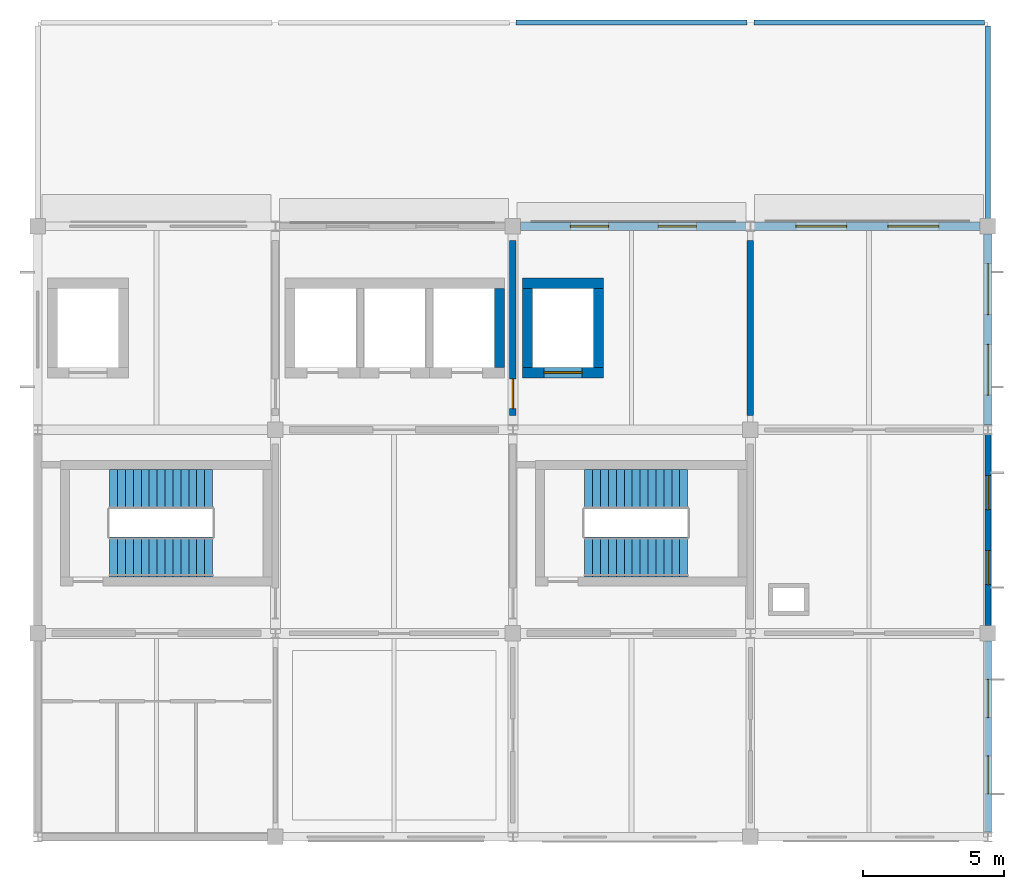
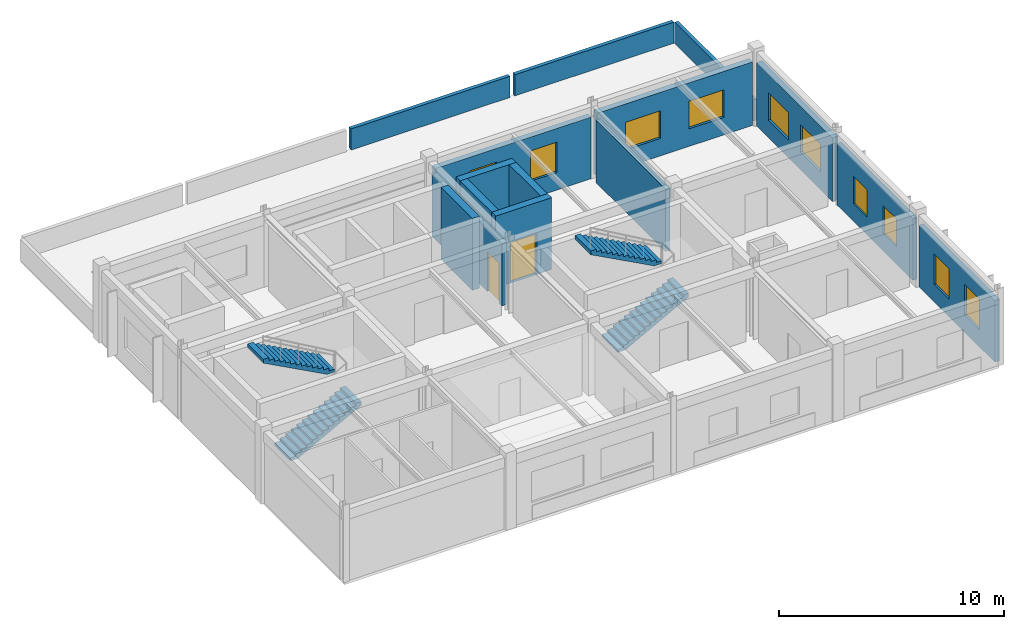
# One storey, part 4 of 5: 15 walls, 10 windows, 4 stair flights, 2 doors, 12 openings, 2 elements without a shape of their own.
"""IFC4 building model written with IfcOpenShell, lengths in metres."""

from ifc_helpers import new_model, si_unit, derived_unit, direction, frame, frame_2d, origin, place, context, subcontext, project, spatial, polyline, rectangle, outline, extrude, material, layer, layer_set, type_object, element, fill, aggregate, save


model = new_model("IFC4")

# Units and contexts
model_context = context("Model", 3, precision=1e-05, world=origin(), true_north=direction((0.0, 1.0)))
body_context = subcontext(model_context, "Body", "Model", "MODEL_VIEW")
ifc_project = project(units=[si_unit("LENGTHUNIT", "METRE"), si_unit("AREAUNIT", "SQUARE_METRE"), si_unit("VOLUMEUNIT", "CUBIC_METRE"), si_unit("PLANEANGLEUNIT", "RADIAN"), si_unit("MASSUNIT", "GRAM", prefix="KILO"), derived_unit("THERMALTRANSMITTANCEUNIT", [(si_unit("MASSUNIT", "GRAM", prefix="KILO"), 1), (si_unit("TIMEUNIT", "SECOND"), -3), (si_unit("THERMODYNAMICTEMPERATUREUNIT", "KELVIN"), -1)])], contexts=[model_context])

# Site, building, storey
site_placement = place(None, origin())
site = spatial("IfcSite", under=ifc_project, at=site_placement, CompositionType="ELEMENT")
building_placement = place(site_placement, origin())
building = spatial("IfcBuilding", under=site, at=building_placement, Name="Veldstrom Oceanarium and Marine Research Institute", CompositionType="ELEMENT")
storey_placement = place(building_placement, frame((0.0, 0.0, 64.800048828125)))
storey = spatial("IfcBuildingStorey", under=building, at=storey_placement, Name="L14", CompositionType="ELEMENT", Elevation=64.800048828125)

# Wall, openings, windows
ifc_material_1 = material(Name="Masonry Cavity Wall", Category="masonry")
ifc_layer_1 = layer(ifc_material_1, 0.31005859375)
ifc_layer_set_1 = layer_set([ifc_layer_1], Name="ARC-WAL-EW1")
wall_type_1 = type_object("IfcWallType", Name="ARC-WAL-EW1", PredefinedType="SOLIDWALL", material=ifc_layer_set_1)
wall_1_placement = place(storey_placement, frame((100.949951171875, 64.800048828125, 0.0), z_axis=(0.0, 0.0, 1.0), x_axis=(1.0, 0.0, 0.0)))
wall_1 = element("IfcWall", 1, at=wall_1_placement, inside=storey, type_object=wall_type_1, Name="Exterior Facade Wall EW1 L14-279", PredefinedType="SOLIDWALL", context=body_context, shape_type="SweptSolid", body=[
    extrude(rectangle(XDim=7.97509765625, YDim=0.31005859375, at=frame_2d((3.987548828125, 0.0))), origin(), (0.0, 0.0, 1.0), 3.445068359375),
])
opening_1_placement = place(wall_1_placement, frame((1.458251953125, 0.0, 0.949951171875)))
opening_1 = element("IfcOpeningElement", 2, at=opening_1_placement, cuts=wall_1, Name="Opening W14", PredefinedType="OPENING", context=body_context, shape_type="SweptSolid", body=[
    extrude(rectangle(XDim=1.800048828125, YDim=1.5, at=frame_2d((0.89990234375, 0.75))), frame((0.0, 0.1650390625, 0.0), z_axis=(0.0, -1.0, 0.0), x_axis=(1.0, 0.0, 0.0)), (0.0, 0.0, 1.0), 0.330078125),
])
opening_2_placement = place(wall_1_placement, frame((4.716796875, 0.0, 0.949951171875)))
opening_2 = element("IfcOpeningElement", 3, at=opening_2_placement, cuts=wall_1, Name="Opening W14", PredefinedType="OPENING", context=body_context, shape_type="SweptSolid", body=[
    extrude(rectangle(XDim=1.800048828125, YDim=1.5, at=frame_2d((0.89990234375, 0.75))), frame((0.0, 0.1650390625, 0.0), z_axis=(0.0, -1.0, 0.0), x_axis=(1.0, 0.0, 0.0)), (0.0, 0.0, 1.0), 0.330078125),
])
ifc_material_2 = material(Name="Double Glazed Low-E IGU", Category="glass")
window_type_1 = type_object("IfcWindowType", Name="ARC-WIN-W14", PartitioningType="SINGLE_PANEL", PredefinedType="WINDOW", material=ifc_material_2)
window_1_placement = place(opening_1_placement, origin())
window_1 = element("IfcWindow", 4, at=window_1_placement, inside=storey, type_object=window_type_1, Name="Facade Window W14 L14-0276", OverallHeight=1.5, OverallWidth=1.800048828125, PartitioningType="SINGLE_PANEL", PredefinedType="WINDOW", context=body_context, shape_type="SweptSolid", body=[
    extrude(rectangle(XDim=1.800048828125, YDim=1.5, at=frame_2d((0.89990234375, 0.75))), frame((0.0, 0.030029296875, 0.0), z_axis=(0.0, -1.0, 0.0), x_axis=(1.0, 0.0, 0.0)), (0.0, 0.0, 1.0), 0.06005859375),
])
fill(opening_1, window_1)
window_2_placement = place(opening_2_placement, origin())
window_2 = element("IfcWindow", 5, at=window_2_placement, inside=storey, type_object=window_type_1, Name="Facade Window W14 L14-0277", OverallHeight=1.5, OverallWidth=1.800048828125, PartitioningType="SINGLE_PANEL", PredefinedType="WINDOW", context=body_context, shape_type="SweptSolid", body=[
    extrude(rectangle(XDim=1.800048828125, YDim=1.5, at=frame_2d((0.89990234375, 0.75))), frame((0.0, 0.030029296875, 0.0), z_axis=(0.0, -1.0, 0.0), x_axis=(1.0, 0.0, 0.0)), (0.0, 0.0, 1.0), 0.06005859375),
])
fill(opening_2, window_2)

ifc_material_3 = material(Name="Masonry Cavity Wall", Category="masonry")
ifc_layer_2 = layer(ifc_material_3, 0.2900390625)
ifc_layer_set_2 = layer_set([ifc_layer_2], Name="ARC-WAL-EW2")
wall_type_2 = type_object("IfcWallType", Name="ARC-WAL-EW2", PredefinedType="SOLIDWALL", material=ifc_layer_set_2)
wall_2_placement = place(storey_placement, frame((92.675048828125, 64.800048828125, 0.0), z_axis=(0.0, 0.0, 1.0), x_axis=(1.0, 0.0, 0.0)))
wall_2 = element("IfcWall", 6, at=wall_2_placement, inside=storey, type_object=wall_type_2, Name="Exterior Facade Wall EW2 L14-275", PredefinedType="SOLIDWALL", context=body_context, shape_type="SweptSolid", body=[
    extrude(rectangle(XDim=7.974853515625, YDim=0.2900390625, at=frame_2d((3.9873046875, 0.0))), origin(), (0.0, 0.0, 1.0), 3.344970703125),
])
opening_3_placement = place(wall_2_placement, frame((1.75830078125, 0.0, 0.949951171875)))
opening_3 = element("IfcOpeningElement", 7, at=opening_3_placement, cuts=wall_2, Name="Opening W24", PredefinedType="OPENING", context=body_context, shape_type="SweptSolid", body=[
    extrude(rectangle(XDim=1.35009765625, YDim=1.64990234375, at=frame_2d((0.675048828125, 0.824951171875))), frame((0.0, 0.155029296875, 0.0), z_axis=(0.0, -1.0, 0.0), x_axis=(1.0, 0.0, 0.0)), (0.0, 0.0, 1.0), 0.31005859375),
])
opening_4_placement = place(wall_2_placement, frame((4.86669921875, 0.0, 0.949951171875)))
opening_4 = element("IfcOpeningElement", 8, at=opening_4_placement, cuts=wall_2, Name="Opening W24", PredefinedType="OPENING", context=body_context, shape_type="SweptSolid", body=[
    extrude(rectangle(XDim=1.35009765625, YDim=1.64990234375, at=frame_2d((0.675048828125, 0.824951171875))), frame((0.0, 0.155029296875, 0.0), z_axis=(0.0, -1.0, 0.0), x_axis=(1.0, 0.0, 0.0)), (0.0, 0.0, 1.0), 0.31005859375),
])
ifc_material_4 = material(Name="Double Glazed Low-E IGU", Category="glass")
window_type_2 = type_object("IfcWindowType", Name="ARC-WIN-W24", PartitioningType="SINGLE_PANEL", PredefinedType="WINDOW", material=ifc_material_4)
window_3_placement = place(opening_3_placement, origin())
window_3 = element("IfcWindow", 9, at=window_3_placement, inside=storey, type_object=window_type_2, Name="Facade Window W24 L14-0268", OverallHeight=1.64990234375, OverallWidth=1.35009765625, PartitioningType="SINGLE_PANEL", PredefinedType="WINDOW", context=body_context, shape_type="SweptSolid", body=[
    extrude(rectangle(XDim=1.35009765625, YDim=1.64990234375, at=frame_2d((0.675048828125, 0.824951171875))), frame((0.0, 0.030029296875, 0.0), z_axis=(0.0, -1.0, 0.0), x_axis=(1.0, 0.0, 0.0)), (0.0, 0.0, 1.0), 0.06005859375),
])
fill(opening_3, window_3)
window_4_placement = place(opening_4_placement, origin())
window_4 = element("IfcWindow", 10, at=window_4_placement, inside=storey, type_object=window_type_2, Name="Facade Window W24 L14-0269", OverallHeight=1.64990234375, OverallWidth=1.35009765625, PartitioningType="SINGLE_PANEL", PredefinedType="WINDOW", context=body_context, shape_type="SweptSolid", body=[
    extrude(rectangle(XDim=1.35009765625, YDim=1.64990234375, at=frame_2d((0.675048828125, 0.824951171875))), frame((0.0, 0.030029296875, 0.0), z_axis=(0.0, -1.0, 0.0), x_axis=(1.0, 0.0, 0.0)), (0.0, 0.0, 1.0), 0.06005859375),
])
fill(opening_4, window_4)

wall_3_placement = place(storey_placement, frame((109.199951171875, 57.77001953125, 0.0), z_axis=(0.0, 0.0, 1.0), x_axis=(0.0, 1.0, 0.0)))
wall_3 = element("IfcWall", 11, at=wall_3_placement, inside=storey, type_object=wall_type_2, Name="Exterior Facade Wall EW2 L14-280", PredefinedType="SOLIDWALL", context=body_context, shape_type="SweptSolid", body=[
    extrude(rectangle(XDim=6.7548828125, YDim=0.2900390625, at=frame_2d((3.37744140625, 0.0))), origin(), (0.0, 0.0, 1.0), 3.445068359375),
])
opening_5_placement = place(wall_3_placement, frame((1.0517578125, 0.0, 0.949951171875)))
opening_5 = element("IfcOpeningElement", 12, at=opening_5_placement, cuts=wall_3, Name="Opening W14", PredefinedType="OPENING", context=body_context, shape_type="SweptSolid", body=[
    extrude(rectangle(XDim=1.800048828125, YDim=1.5, at=frame_2d((0.89990234375, 0.75))), frame((0.0, 0.155029296875, 0.0), z_axis=(0.0, -1.0, 0.0), x_axis=(1.0, 0.0, 0.0)), (0.0, 0.0, 1.0), 0.31005859375),
])
opening_6_placement = place(wall_3_placement, frame((3.9033203125, 0.0, 0.949951171875)))
opening_6 = element("IfcOpeningElement", 13, at=opening_6_placement, cuts=wall_3, Name="Opening W14", PredefinedType="OPENING", context=body_context, shape_type="SweptSolid", body=[
    extrude(rectangle(XDim=1.800048828125, YDim=1.5, at=frame_2d((0.89990234375, 0.75))), frame((0.0, 0.155029296875, 0.0), z_axis=(0.0, -1.0, 0.0), x_axis=(1.0, 0.0, 0.0)), (0.0, 0.0, 1.0), 0.31005859375),
])
window_5_placement = place(opening_5_placement, origin())
window_5 = element("IfcWindow", 14, at=window_5_placement, inside=storey, type_object=window_type_1, Name="Facade Window W14 L14-0278", OverallHeight=1.5, OverallWidth=1.800048828125, PartitioningType="SINGLE_PANEL", PredefinedType="WINDOW", context=body_context, shape_type="SweptSolid", body=[
    extrude(rectangle(XDim=1.800048828125, YDim=1.5, at=frame_2d((0.89990234375, 0.75))), frame((0.0, 0.030029296875, 0.0), z_axis=(0.0, -1.0, 0.0), x_axis=(1.0, 0.0, 0.0)), (0.0, 0.0, 1.0), 0.06005859375),
])
fill(opening_5, window_5)
window_6_placement = place(opening_6_placement, origin())
window_6 = element("IfcWindow", 15, at=window_6_placement, inside=storey, type_object=window_type_1, Name="Facade Window W14 L14-0279", OverallHeight=1.5, OverallWidth=1.800048828125, PartitioningType="SINGLE_PANEL", PredefinedType="WINDOW", context=body_context, shape_type="SweptSolid", body=[
    extrude(rectangle(XDim=1.800048828125, YDim=1.5, at=frame_2d((0.89990234375, 0.75))), frame((0.0, 0.030029296875, 0.0), z_axis=(0.0, -1.0, 0.0), x_axis=(1.0, 0.0, 0.0)), (0.0, 0.0, 1.0), 0.06005859375),
])
fill(opening_6, window_6)

ifc_material_5 = material(Name="Masonry Cavity Wall", Category="masonry")
ifc_layer_3 = layer(ifc_material_5, 0.25)
ifc_layer_set_3 = layer_set([ifc_layer_3], Name="ARC-WAL-EW5")
wall_type_3 = type_object("IfcWallType", Name="ARC-WAL-EW5", PredefinedType="SOLIDWALL", material=ifc_layer_set_3)
wall_4_placement = place(storey_placement, frame((109.199951171875, 43.3701171875, 0.0), z_axis=(0.0, 0.0, 1.0), x_axis=(0.0, 1.0, 0.0)))
wall_4 = element("IfcWall", 16, at=wall_4_placement, inside=storey, type_object=wall_type_3, Name="Exterior Facade Wall EW5 L14-277", PredefinedType="SOLIDWALL", context=body_context, shape_type="SweptSolid", body=[
    extrude(rectangle(XDim=6.7548828125, YDim=0.25, at=frame_2d((3.37744140625, 0.0))), origin(), (0.0, 0.0, 1.0), 3.344970703125),
])
opening_7_placement = place(wall_4_placement, frame((1.351806640625, 0.0, 0.949951171875)))
opening_7 = element("IfcOpeningElement", 17, at=opening_7_placement, cuts=wall_4, Name="Opening W24", PredefinedType="OPENING", context=body_context, shape_type="SweptSolid", body=[
    extrude(rectangle(XDim=1.35009765625, YDim=1.64990234375, at=frame_2d((0.675048828125, 0.824951171875))), frame((0.0, 0.135009765625, 0.0), z_axis=(0.0, -1.0, 0.0), x_axis=(1.0, 0.0, 0.0)), (0.0, 0.0, 1.0), 0.27001953125),
])
opening_8_placement = place(wall_4_placement, frame((4.05322265625, 0.0, 0.949951171875)))
opening_8 = element("IfcOpeningElement", 18, at=opening_8_placement, cuts=wall_4, Name="Opening W24", PredefinedType="OPENING", context=body_context, shape_type="SweptSolid", body=[
    extrude(rectangle(XDim=1.35009765625, YDim=1.64990234375, at=frame_2d((0.675048828125, 0.824951171875))), frame((0.0, 0.135009765625, 0.0), z_axis=(0.0, -1.0, 0.0), x_axis=(1.0, 0.0, 0.0)), (0.0, 0.0, 1.0), 0.27001953125),
])
window_7_placement = place(opening_7_placement, origin())
window_7 = element("IfcWindow", 19, at=window_7_placement, inside=storey, type_object=window_type_2, Name="Facade Window W24 L14-0272", OverallHeight=1.64990234375, OverallWidth=1.35009765625, PartitioningType="SINGLE_PANEL", PredefinedType="WINDOW", context=body_context, shape_type="SweptSolid", body=[
    extrude(rectangle(XDim=1.35009765625, YDim=1.64990234375, at=frame_2d((0.675048828125, 0.824951171875))), frame((0.0, 0.030029296875, 0.0), z_axis=(0.0, -1.0, 0.0), x_axis=(1.0, 0.0, 0.0)), (0.0, 0.0, 1.0), 0.06005859375),
])
fill(opening_7, window_7)
window_8_placement = place(opening_8_placement, origin())
window_8 = element("IfcWindow", 20, at=window_8_placement, inside=storey, type_object=window_type_2, Name="Facade Window W24 L14-0273", OverallHeight=1.64990234375, OverallWidth=1.35009765625, PartitioningType="SINGLE_PANEL", PredefinedType="WINDOW", context=body_context, shape_type="SweptSolid", body=[
    extrude(rectangle(XDim=1.35009765625, YDim=1.64990234375, at=frame_2d((0.675048828125, 0.824951171875))), frame((0.0, 0.030029296875, 0.0), z_axis=(0.0, -1.0, 0.0), x_axis=(1.0, 0.0, 0.0)), (0.0, 0.0, 1.0), 0.06005859375),
])
fill(opening_8, window_8)

ifc_material_6 = material(Name="Masonry Cavity Wall", Category="masonry")
ifc_layer_4 = layer(ifc_material_6, 0.215087890625)
ifc_layer_set_4 = layer_set([ifc_layer_4], Name="ARC-WAL-EW6")
wall_type_4 = type_object("IfcWallType", Name="ARC-WAL-EW6", PredefinedType="SOLIDWALL", material=ifc_layer_set_4)
wall_5_placement = place(storey_placement, frame((109.199951171875, 50.675048828125, 0.0), z_axis=(0.0, 0.0, 1.0), x_axis=(0.0, 1.0, 0.0)))
wall_5 = element("IfcWall", 21, at=wall_5_placement, inside=storey, type_object=wall_type_4, Name="Exterior Facade Wall EW6 L14-278", PredefinedType="SOLIDWALL", context=body_context, shape_type="SweptSolid", body=[
    extrude(rectangle(XDim=6.7548828125, YDim=0.215087890625, at=frame_2d((3.37744140625, 0.0))), origin(), (0.0, 0.0, 1.0), 3.344970703125),
])
opening_9_placement = place(wall_5_placement, frame((1.45166015625, 0.0, 0.949951171875)))
opening_9 = element("IfcOpeningElement", 22, at=opening_9_placement, cuts=wall_5, Name="Opening W16", PredefinedType="OPENING", context=body_context, shape_type="SweptSolid", body=[
    extrude(rectangle(XDim=1.199951171875, YDim=1.5, at=frame_2d((0.60009765625, 0.75))), frame((0.0, 0.117431640625, 0.0), z_axis=(0.0, -1.0, 0.0), x_axis=(1.0, 0.0, 0.0)), (0.0, 0.0, 1.0), 0.235107421875),
])
opening_10_placement = place(wall_5_placement, frame((4.103271484375, 0.0, 0.949951171875)))
opening_10 = element("IfcOpeningElement", 23, at=opening_10_placement, cuts=wall_5, Name="Opening W16", PredefinedType="OPENING", context=body_context, shape_type="SweptSolid", body=[
    extrude(rectangle(XDim=1.199951171875, YDim=1.5, at=frame_2d((0.60009765625, 0.75))), frame((0.0, 0.117431640625, 0.0), z_axis=(0.0, -1.0, 0.0), x_axis=(1.0, 0.0, 0.0)), (0.0, 0.0, 1.0), 0.235107421875),
])
ifc_material_7 = material(Name="Double Glazed Low-E IGU", Category="glass")
window_type_3 = type_object("IfcWindowType", Name="ARC-WIN-W16", PartitioningType="SINGLE_PANEL", PredefinedType="WINDOW", material=ifc_material_7)
window_9_placement = place(opening_9_placement, origin())
window_9 = element("IfcWindow", 24, at=window_9_placement, inside=storey, type_object=window_type_3, Name="Facade Window W16 L14-0274", OverallHeight=1.5, OverallWidth=1.199951171875, PartitioningType="SINGLE_PANEL", PredefinedType="WINDOW", context=body_context, shape_type="SweptSolid", body=[
    extrude(rectangle(XDim=1.199951171875, YDim=1.5, at=frame_2d((0.60009765625, 0.75))), frame((0.0, 0.030029296875, 0.0), z_axis=(0.0, -1.0, 0.0), x_axis=(1.0, 0.0, 0.0)), (0.0, 0.0, 1.0), 0.06005859375),
])
fill(opening_9, window_9)
window_10_placement = place(opening_10_placement, origin())
window_10 = element("IfcWindow", 25, at=window_10_placement, inside=storey, type_object=window_type_3, Name="Facade Window W16 L14-0275", OverallHeight=1.5, OverallWidth=1.199951171875, PartitioningType="SINGLE_PANEL", PredefinedType="WINDOW", context=body_context, shape_type="SweptSolid", body=[
    extrude(rectangle(XDim=1.199951171875, YDim=1.5, at=frame_2d((0.60009765625, 0.75))), frame((0.0, 0.030029296875, 0.0), z_axis=(0.0, -1.0, 0.0), x_axis=(1.0, 0.0, 0.0)), (0.0, 0.0, 1.0), 0.06005859375),
])
fill(opening_10, window_10)

# Walls
ifc_material_8 = material(Name="Masonry Cavity Wall", Category="masonry")
ifc_layer_5 = layer(ifc_material_8, 0.18505859375)
ifc_layer_set_5 = layer_set([ifc_layer_5], Name="ARC-WAL-PR2")
wall_type_5 = type_object("IfcWallType", Name="ARC-WAL-PR2", PredefinedType="PARAPET", material=ifc_layer_set_5)
wall_6_placement = place(storey_placement, frame((92.52001953125, 72.0, 0.0), z_axis=(0.0, 0.0, 1.0), x_axis=(1.0, 0.0, 0.0)))
element("IfcWall", 26, at=wall_6_placement, inside=storey, type_object=wall_type_5, Name="Roof Parapet Wall L13-110", PredefinedType="PARAPET", context=body_context, shape_type="SweptSolid", body=[
    extrude(rectangle(XDim=8.159912109375, YDim=0.18505859375, at=frame_2d((4.080078125, 0.0))), origin(), (0.0, 0.0, 1.0), 1.14990234375),
])
wall_7_placement = place(storey_placement, frame((100.919921875, 72.0, 0.0), z_axis=(0.0, 0.0, 1.0), x_axis=(1.0, 0.0, 0.0)))
element("IfcWall", 27, at=wall_7_placement, inside=storey, type_object=wall_type_5, Name="Roof Parapet Wall L13-111", PredefinedType="PARAPET", context=body_context, shape_type="SweptSolid", body=[
    extrude(rectangle(XDim=8.16015625, YDim=0.18505859375, at=frame_2d((4.080078125, 0.0))), origin(), (0.0, 0.0, 1.0), 1.14990234375),
])
wall_8_placement = place(storey_placement, frame((109.199951171875, 64.919921875, 0.0), z_axis=(0.0, 0.0, 1.0), x_axis=(0.0, 1.0, 0.0)))
element("IfcWall", 28, at=wall_8_placement, inside=storey, type_object=wall_type_5, Name="Roof Parapet Wall L13-112", PredefinedType="PARAPET", context=body_context, shape_type="SweptSolid", body=[
    extrude(rectangle(XDim=6.9599609375, YDim=0.18505859375, at=frame_2d((3.47998046875, 0.0))), origin(), (0.0, 0.0, 1.0), 1.14990234375),
])

# Wall, opening, door
ifc_material_9 = material(Name="Masonry Fire Compartment Wall", Category="masonry")
ifc_layer_6 = layer(ifc_material_9, 0.22998046875)
ifc_layer_set_6 = layer_set([ifc_layer_6], Name="ARC-WAL-PT1")
wall_type_6 = type_object("IfcWallType", Name="ARC-WAL-PT1", PredefinedType="PARTITIONING", material=ifc_layer_set_6)
wall_9_placement = place(storey_placement, frame((92.39990234375, 58.10009765625, 0.0), z_axis=(0.0, 0.0, 1.0), x_axis=(0.0, 1.0, 0.0)))
wall_9 = element("IfcWall", 29, at=wall_9_placement, inside=storey, type_object=wall_type_6, Name="Interior Partition PT1 L14-1777", PredefinedType="PARTITIONING", context=body_context, shape_type="SweptSolid", body=[
    extrude(rectangle(XDim=6.199951171875, YDim=0.22998046875, at=frame_2d((3.10009765625, 0.0))), origin(), (0.0, 0.0, 1.0), 3.39501953125),
])
opening_11_placement = place(wall_9_placement, frame((0.25, 0.0, 0.0)))
opening_11 = element("IfcOpeningElement", 30, at=opening_11_placement, cuts=wall_9, Name="Opening D-L14-1101", PredefinedType="OPENING", context=body_context, shape_type="SweptSolid", body=[
    extrude(rectangle(XDim=1.050048828125, YDim=2.14990234375, at=frame_2d((0.52490234375, 1.074951171875))), frame((0.0, 0.125, 0.0), z_axis=(0.0, -1.0, 0.0), x_axis=(1.0, 0.0, 0.0)), (0.0, 0.0, 1.0), 0.25),
])
ifc_material_10 = material(Name="Painted Steel Fire Door", Category="steel")
door_type_1 = type_object("IfcDoorType", Name="ARC-DOR-SD1", OperationType="SINGLE_SWING_LEFT", PredefinedType="DOOR", material=ifc_material_10)
door_1_placement = place(opening_11_placement, frame((1.050048828125, 0.0, 0.0), z_axis=(0.0, 0.0, 1.0), x_axis=(-1.0, 0.0, 0.0)))
door_1 = element("IfcDoor", 31, at=door_1_placement, inside=storey, type_object=door_type_1, Name="Interior Door D-L14-1101", OperationType="SINGLE_SWING_RIGHT", OverallHeight=2.14990234375, OverallWidth=1.050048828125, PredefinedType="DOOR", context=body_context, shape_type="SweptSolid", body=[
    extrude(rectangle(XDim=1.050048828125, YDim=2.14990234375, at=frame_2d((0.52490234375, 1.074951171875))), frame((0.0, 0.02490234375, 0.0), z_axis=(0.0, -1.0, 0.0), x_axis=(1.0, 0.0, 0.0)), (0.0, 0.0, 1.0), 0.050048828125),
])
fill(opening_11, door_1)

# Walls
wall_10_placement = place(storey_placement, frame((100.800048828125, 58.10009765625, 0.0), z_axis=(0.0, 0.0, 1.0), x_axis=(0.0, 1.0, 0.0)))
element("IfcWall", 32, at=wall_10_placement, inside=storey, type_object=wall_type_6, Name="Interior Partition PT1 L14-1782", PredefinedType="PARTITIONING", context=body_context, shape_type="SweptSolid", body=[
    extrude(rectangle(XDim=6.199951171875, YDim=0.22998046875, at=frame_2d((3.10009765625, 0.0))), origin(), (0.0, 0.0, 1.0), 3.39501953125),
])
ifc_material_11 = material(Name="Concrete C40/50", Category="concrete")
ifc_layer_7 = layer(ifc_material_11, 0.360107421875)
ifc_layer_set_7 = layer_set([ifc_layer_7], Name="STR-WAL-WC2")
wall_type_7 = type_object("IfcWallType", Name="STR-WAL-WC2", PredefinedType="SHEAR", material=ifc_layer_set_7)
wall_11_placement = place(storey_placement, frame((91.929931640625, 59.800048828125, 0.0), z_axis=(0.0, 0.0, 1.0), x_axis=(0.0, 1.0, 0.0)))
element("IfcWall", 33, at=wall_11_placement, inside=storey, type_object=wall_type_7, Name="Lift Shaft Shear Wall E L14 10/8", PredefinedType="SHEAR", context=body_context, shape_type="SweptSolid", body=[
    extrude(rectangle(XDim=2.800048828125, YDim=0.360107421875, at=frame_2d((1.39990234375, 0.0))), origin(), (0.0, 0.0, 1.0), 3.89990234375),
])
wall_12_placement = place(storey_placement, frame((92.739990234375, 62.780029296875, 0.0), z_axis=(0.0, 0.0, 1.0), x_axis=(1.0, 0.0, 0.0)))
element("IfcWall", 34, at=wall_12_placement, inside=storey, type_object=wall_type_7, Name="Lift Shaft Shear Wall N L14 11/8", PredefinedType="SHEAR", context=body_context, shape_type="SweptSolid", body=[
    extrude(rectangle(XDim=2.8701171875, YDim=0.360107421875, at=frame_2d((1.43505859375, 0.0))), origin(), (0.0, 0.0, 1.0), 3.89990234375),
])

# Wall, opening, door
wall_13_placement = place(storey_placement, frame((92.739990234375, 59.6201171875, 0.0), z_axis=(0.0, 0.0, 1.0), x_axis=(1.0, 0.0, 0.0)))
wall_13 = element("IfcWall", 35, at=wall_13_placement, inside=storey, type_object=wall_type_7, Name="Lift Shaft Front Shear Wall LF2 L14", PredefinedType="SHEAR", context=body_context, shape_type="SweptSolid", body=[
    extrude(rectangle(XDim=2.8701171875, YDim=0.360107421875, at=frame_2d((1.43505859375, 0.0))), origin(), (0.0, 0.0, 1.0), 3.89990234375),
])
opening_12_placement = place(wall_13_placement, frame((0.760009765625, 0.0, 0.0)))
opening_12 = element("IfcOpeningElement", 36, at=opening_12_placement, cuts=wall_13, Name="Opening LD-LF2-L14", PredefinedType="OPENING", context=body_context, shape_type="SweptSolid", body=[
    extrude(rectangle(XDim=1.35009765625, YDim=2.199951171875, at=frame_2d((0.675048828125, 1.10009765625))), frame((0.0, 0.18994140625, 0.0), z_axis=(0.0, -1.0, 0.0), x_axis=(1.0, 0.0, 0.0)), (0.0, 0.0, 1.0), 0.380126953125),
])
ifc_material_12 = material(Name="Stainless Steel Lift Landing Door", Category="steel")
door_type_2 = type_object("IfcDoorType", Name="ARC-DOR-LD3", OperationType="DOUBLE_DOOR_SLIDING", PredefinedType="DOOR", material=ifc_material_12)
door_2_placement = place(opening_12_placement, origin())
door_2 = element("IfcDoor", 37, at=door_2_placement, inside=storey, type_object=door_type_2, Name="Lift Landing Door LD-LF2-L14", OperationType="DOUBLE_DOOR_SLIDING", OverallHeight=2.199951171875, OverallWidth=1.35009765625, PredefinedType="DOOR", context=body_context, shape_type="SweptSolid", body=[
    extrude(rectangle(XDim=1.35009765625, YDim=2.199951171875, at=frame_2d((0.675048828125, 1.10009765625))), frame((0.0, 0.02490234375, 0.0), z_axis=(0.0, -1.0, 0.0), x_axis=(1.0, 0.0, 0.0)), (0.0, 0.0, 1.0), 0.050048828125),
])
fill(opening_12, door_2)

# Walls
for number, where, z_axis, x_axis, name in (
    (38, (92.919921875, 59.800048828125, 0.0), (0.0, 0.0, 1.0), (0.0, 1.0, 0.0), "Lift Shaft Shear Wall W L14 11/8"),
    (39, (95.429931640625, 59.800048828125, 0.0), (0.0, 0.0, 1.0), (0.0, 1.0, 0.0), "Lift Shaft Shear Wall E L14 11/8"),
):
    element("IfcWall", number, at=place(storey_placement, frame(where, z_axis=z_axis, x_axis=x_axis)), inside=storey, type_object=wall_type_7, Name=name, PredefinedType="SHEAR", context=body_context, shape_type="SweptSolid", body=[
        extrude(rectangle(XDim=2.800048828125, YDim=0.360107421875, at=frame_2d((1.39990234375, 0.0))), origin(), (0.0, 0.0, 1.0), 3.89990234375),
    ])

# Stair, stair flights
ifc_material_13 = material(Name="Concrete C40/50", Category="concrete")
stair_type = type_object("IfcStairType", Name="ARC-STR-ST-420", PredefinedType="TWO_STRAIGHT_RUN_STAIR", material=ifc_material_13)
stair_1_placement = place(storey_placement, origin())
stair_1 = element("IfcStair", 40, at=stair_1_placement, inside=storey, type_object=stair_type, Name="Dog-Leg Escape Stair ST1-L14", PredefinedType="TWO_STRAIGHT_RUN_STAIR")
ifc_material_14 = material(Name="Concrete C40/50", Category="concrete")
stair_flight_type = type_object("IfcStairFlightType", Name="ARC-STF-ST-420", PredefinedType="STRAIGHT", material=ifc_material_14)
stair_flight_1_placement = place(storey_placement, frame((78.139892578125, 53.10009765625, 0.0), z_axis=(0.0, 0.0, 1.0), x_axis=(1.0, 0.0, 0.0)))
stair_flight_1 = element("IfcStairFlight", 41, at=stair_flight_1_placement, type_object=stair_flight_type, Name="Stair Flight ST1-L14-1", NumberOfRisers=14, NumberOfTreads=13, PredefinedType="STRAIGHT", RiserHeight=0.15, TreadLength=0.28, context=body_context, shape_type="SweptSolid", body=[
    extrude(outline(polyline([(0.0, 0.0), (0.0, 0.14990234375), (0.280029296875, 0.14990234375), (0.280029296875, 0.300048828125), (0.56005859375, 0.300048828125), (0.56005859375, 0.449951171875), (0.840087890625, 0.449951171875), (0.840087890625, 0.60009765625), (1.1201171875, 0.60009765625), (1.1201171875, 0.75), (1.39990234375, 0.75), (1.39990234375, 0.89990234375), (1.679931640625, 0.89990234375), (1.679931640625, 1.050048828125), (1.9599609375, 1.050048828125), (1.9599609375, 1.199951171875), (2.239990234375, 1.199951171875), (2.239990234375, 1.35009765625), (2.52001953125, 1.35009765625), (2.52001953125, 1.5), (2.800048828125, 1.5), (2.800048828125, 1.64990234375), (3.080078125, 1.64990234375), (3.080078125, 1.800048828125), (3.360107421875, 1.800048828125), (3.360107421875, 1.949951171875), (3.639892578125, 1.949951171875), (3.639892578125, 2.10009765625), (3.639892578125, 1.745849609375), (0.381103515625, 0.0), (0.0, 0.0)])), frame((0.0, 0.699951171875, 0.0), z_axis=(0.0, -1.0, 0.0), x_axis=(1.0, 0.0, 0.0)), (0.0, 0.0, 1.0), 1.39990234375),
])
stair_flight_2_placement = place(storey_placement, frame((81.780029296875, 55.5, 2.099853515625), z_axis=(0.0, 0.0, 1.0), x_axis=(-1.0, 0.0, 0.0)))
stair_flight_2 = element("IfcStairFlight", 42, at=stair_flight_2_placement, type_object=stair_flight_type, Name="Stair Flight ST1-L14-2", NumberOfRisers=14, NumberOfTreads=13, PredefinedType="STRAIGHT", RiserHeight=0.15, TreadLength=0.28, context=body_context, shape_type="SweptSolid", body=[
    extrude(outline(polyline([(0.0, 0.0), (0.0, 0.14990234375), (0.280029296875, 0.14990234375), (0.280029296875, 0.300048828125), (0.56005859375, 0.300048828125), (0.56005859375, 0.449951171875), (0.840087890625, 0.449951171875), (0.840087890625, 0.60009765625), (1.1201171875, 0.60009765625), (1.1201171875, 0.75), (1.39990234375, 0.75), (1.39990234375, 0.89990234375), (1.679931640625, 0.89990234375), (1.679931640625, 1.050048828125), (1.9599609375, 1.050048828125), (1.9599609375, 1.199951171875), (2.239990234375, 1.199951171875), (2.239990234375, 1.35009765625), (2.52001953125, 1.35009765625), (2.52001953125, 1.5), (2.800048828125, 1.5), (2.800048828125, 1.64990234375), (3.080078125, 1.64990234375), (3.080078125, 1.800048828125), (3.360107421875, 1.800048828125), (3.360107421875, 1.949951171875), (3.639892578125, 1.949951171875), (3.639892578125, 2.10009765625), (3.639892578125, 1.745849609375), (0.381103515625, 0.0), (0.0, 0.0)])), frame((0.0, 0.699951171875, 0.0), z_axis=(0.0, -1.0, 0.0), x_axis=(1.0, 0.0, 0.0)), (0.0, 0.0, 1.0), 1.39990234375),
])
aggregate(stair_1, [stair_flight_1, stair_flight_2])

stair_2_placement = place(storey_placement, origin())
stair_2 = element("IfcStair", 43, at=stair_2_placement, inside=storey, type_object=stair_type, Name="Dog-Leg Escape Stair ST2-L14", PredefinedType="TWO_STRAIGHT_RUN_STAIR")
stair_flight_3_placement = place(storey_placement, frame((94.93994140625, 53.10009765625, 0.0), z_axis=(0.0, 0.0, 1.0), x_axis=(1.0, 0.0, 0.0)))
stair_flight_3 = element("IfcStairFlight", 44, at=stair_flight_3_placement, type_object=stair_flight_type, Name="Stair Flight ST2-L14-1", NumberOfRisers=14, NumberOfTreads=13, PredefinedType="STRAIGHT", RiserHeight=0.15, TreadLength=0.28, context=body_context, shape_type="SweptSolid", body=[
    extrude(outline(polyline([(0.0, 0.0), (0.0, 0.14990234375), (0.280029296875, 0.14990234375), (0.280029296875, 0.300048828125), (0.56005859375, 0.300048828125), (0.56005859375, 0.449951171875), (0.840087890625, 0.449951171875), (0.840087890625, 0.60009765625), (1.1201171875, 0.60009765625), (1.1201171875, 0.75), (1.39990234375, 0.75), (1.39990234375, 0.89990234375), (1.679931640625, 0.89990234375), (1.679931640625, 1.050048828125), (1.9599609375, 1.050048828125), (1.9599609375, 1.199951171875), (2.239990234375, 1.199951171875), (2.239990234375, 1.35009765625), (2.52001953125, 1.35009765625), (2.52001953125, 1.5), (2.800048828125, 1.5), (2.800048828125, 1.64990234375), (3.080078125, 1.64990234375), (3.080078125, 1.800048828125), (3.360107421875, 1.800048828125), (3.360107421875, 1.949951171875), (3.639892578125, 1.949951171875), (3.639892578125, 2.10009765625), (3.639892578125, 1.745849609375), (0.381103515625, 0.0), (0.0, 0.0)])), frame((0.0, 0.699951171875, 0.0), z_axis=(0.0, -1.0, 0.0), x_axis=(1.0, 0.0, 0.0)), (0.0, 0.0, 1.0), 1.39990234375),
])
stair_flight_4_placement = place(storey_placement, frame((98.580078125, 55.5, 2.099853515625), z_axis=(0.0, 0.0, 1.0), x_axis=(-1.0, 0.0, 0.0)))
stair_flight_4 = element("IfcStairFlight", 45, at=stair_flight_4_placement, type_object=stair_flight_type, Name="Stair Flight ST2-L14-2", NumberOfRisers=14, NumberOfTreads=13, PredefinedType="STRAIGHT", RiserHeight=0.15, TreadLength=0.28, context=body_context, shape_type="SweptSolid", body=[
    extrude(outline(polyline([(0.0, 0.0), (0.0, 0.14990234375), (0.280029296875, 0.14990234375), (0.280029296875, 0.300048828125), (0.56005859375, 0.300048828125), (0.56005859375, 0.449951171875), (0.840087890625, 0.449951171875), (0.840087890625, 0.60009765625), (1.1201171875, 0.60009765625), (1.1201171875, 0.75), (1.39990234375, 0.75), (1.39990234375, 0.89990234375), (1.679931640625, 0.89990234375), (1.679931640625, 1.050048828125), (1.9599609375, 1.050048828125), (1.9599609375, 1.199951171875), (2.239990234375, 1.199951171875), (2.239990234375, 1.35009765625), (2.52001953125, 1.35009765625), (2.52001953125, 1.5), (2.800048828125, 1.5), (2.800048828125, 1.64990234375), (3.080078125, 1.64990234375), (3.080078125, 1.800048828125), (3.360107421875, 1.800048828125), (3.360107421875, 1.949951171875), (3.639892578125, 1.949951171875), (3.639892578125, 2.10009765625), (3.639892578125, 1.745849609375), (0.381103515625, 0.0), (0.0, 0.0)])), frame((0.0, 0.699951171875, 0.0), z_axis=(0.0, -1.0, 0.0), x_axis=(1.0, 0.0, 0.0)), (0.0, 0.0, 1.0), 1.39990234375),
])
aggregate(stair_2, [stair_flight_3, stair_flight_4])

save(model, "model.ifc")
